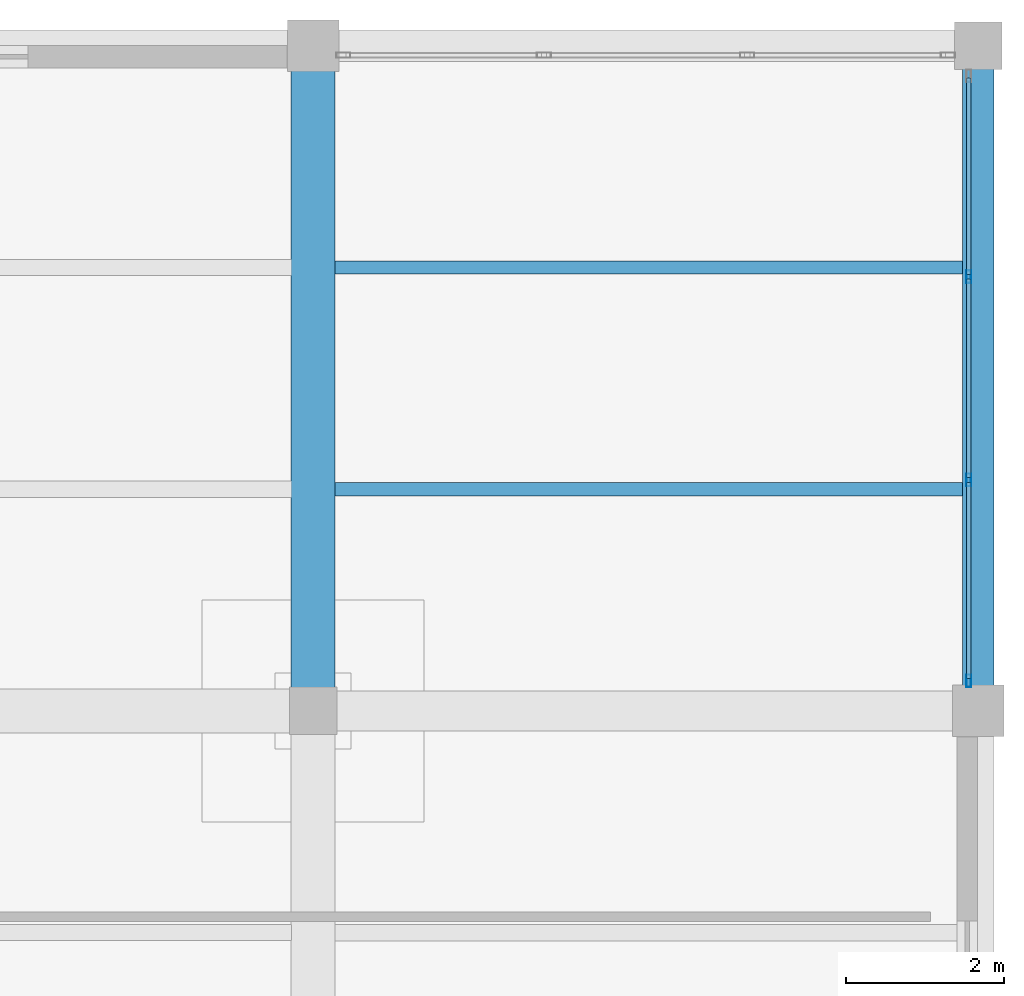
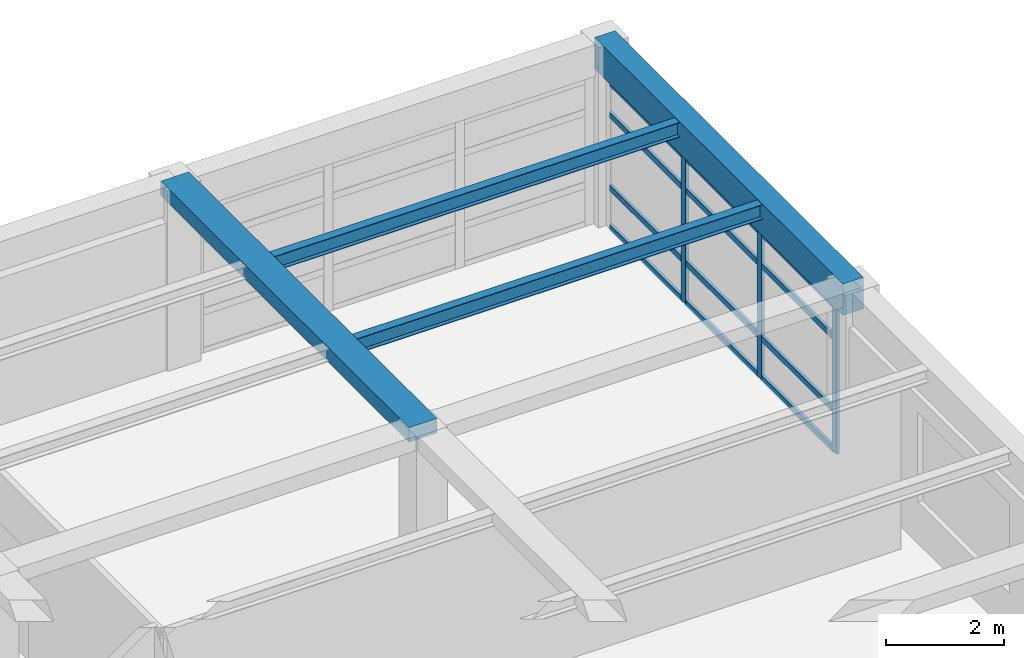
# One storey, part 16 of 26: 15 members, 4 beams, 1 element without a shape of its own.
"""IFC4 building model written with IfcOpenShell, lengths in metres."""

import ifcopenshell
import ifcopenshell.guid

model = None  # the IFC model being written
_history = None  # IfcOwnerHistory: only IFC2X3 demands one
_inside = {}  # id of a spatial element -> (the spatial element, [elements in it])
_under = {}  # id of a project, library or spatial element -> (it, [spatial elements below it])
_declared = {}  # id of a project -> (the project, [libraries it declares])
_typed = {}  # id of a type object -> (the type object, [elements of that type])
_made_of = {}  # id of a material, layer set ... -> (it, [elements and type objects made of it])


def new_model(schema):
    """Start an empty IFC model of exactly this schema.

    Asked for "IFC4X3", IfcOpenShell would pick the latest addendum, in which some entities
    have other attributes; the version numbers below select the first issue.
    IFC2X3 requires an IfcOwnerHistory on every rooted entity: one is made here for all.
    """
    global model, _history
    if schema == "IFC4X3":
        model = ifcopenshell.file(schema_version=(4, 3, 0, 0))
    else:
        model = ifcopenshell.file(schema=schema)
    _inside.clear()
    _under.clear()
    _declared.clear()
    _typed.clear()
    _made_of.clear()
    _history = None
    if model.schema == "IFC2X3":
        org = make("IfcOrganization", Name="unknown")
        user = make(
            "IfcPersonAndOrganization",
            ThePerson=make("IfcPerson", FamilyName="unknown"),
            TheOrganization=org,
        )
        app = make(
            "IfcApplication",
            ApplicationDeveloper=org,
            Version="unknown",
            ApplicationFullName="unknown",
            ApplicationIdentifier="unknown",
        )
        _history = make(
            "IfcOwnerHistory",
            OwningUser=user,
            OwningApplication=app,
            ChangeAction="ADDED",
            CreationDate=0,
        )
    return model


def make(cls, **values):
    """One entity of the class cls with the attributes given. An attribute that is None is left unset."""
    return model.create_entity(
        cls, **{name: value for name, value in values.items() if value is not None}
    )


def rooted(cls, **values):
    """An entity with a GlobalId (a new one), such as an element, a storey or a relation."""
    return make(cls, GlobalId=ifcopenshell.guid.new(), OwnerHistory=_history, **values)


def si_unit(unit_type, name, prefix=None):
    """IfcSIUnit, for example si_unit("LENGTHUNIT", "METRE", prefix="MILLI")."""
    return make("IfcSIUnit", UnitType=unit_type, Prefix=prefix, Name=name)


def assignment(units):
    """IfcUnitAssignment: the units of a project."""
    return None if units is None else make("IfcUnitAssignment", Units=units)


def point(xyz):
    """IfcCartesianPoint."""
    return None if xyz is None else make("IfcCartesianPoint", Coordinates=xyz)


def direction(xyz):
    """IfcDirection."""
    return None if xyz is None else make("IfcDirection", DirectionRatios=xyz)


def frame(location, z_axis=None, x_axis=None):
    """IfcAxis2Placement3D, a coordinate frame: its origin and axes. An axis left out is left unset."""
    return make(
        "IfcAxis2Placement3D",
        Location=point(location),
        Axis=direction(z_axis),
        RefDirection=direction(x_axis),
    )


def frame_2d(location, x_axis=None):
    """IfcAxis2Placement2D, a coordinate frame in the plane: its origin and x axis."""
    return make(
        "IfcAxis2Placement2D", Location=point(location), RefDirection=direction(x_axis)
    )


def origin():
    """The frame at (0, 0, 0) with its axes left unset."""
    return frame((0.0, 0.0, 0.0))


def origin_2d():
    """The frame at (0, 0) in the plane with its x axis left unset."""
    return frame_2d((0.0, 0.0))


def place(relative_to, where):
    """IfcLocalPlacement: puts the frame where relative to a parent placement (None: the world)."""
    return make(
        "IfcLocalPlacement", PlacementRelTo=relative_to, RelativePlacement=where
    )


def context(
    kind, dimensions, precision=None, world=None, true_north=None, identifier=None
):
    """IfcGeometricRepresentationContext, for example the 3D "Model" context."""
    return make(
        "IfcGeometricRepresentationContext",
        ContextIdentifier=identifier,
        ContextType=kind,
        CoordinateSpaceDimension=dimensions,
        Precision=precision,
        WorldCoordinateSystem=world,
        TrueNorth=true_north,
    )


def subcontext(parent, identifier, kind, view, scale=None):
    """IfcGeometricRepresentationSubContext, for example "Body" below "Model"."""
    return make(
        "IfcGeometricRepresentationSubContext",
        ContextIdentifier=identifier,
        ContextType=kind,
        ParentContext=parent,
        TargetScale=scale,
        TargetView=view,
    )


def project(units=None, contexts=None):
    """IfcProject with its units and contexts."""
    return rooted(
        "IfcProject",
        Name="project",
        RepresentationContexts=contexts,
        UnitsInContext=assignment(units),
    )


def spatial(cls, under=None, at=None, **own):
    """A site, building, storey or space (cls), placed at a placement, below another one or the project."""
    s = rooted(cls, ObjectPlacement=at, **own)
    if under is not None:
        _under.setdefault(under.id(), (under, []))[1].append(s)
    return s


def profile(cls, at=None, kind="AREA", **sizes):
    """A parametric profile (cls). Its sizes go by their IFC names, for example OverallWidth=200.0."""
    return make(cls, ProfileType=kind, Position=at, **sizes)


def rectangle(**sizes):
    """IfcRectangleProfileDef."""
    return profile("IfcRectangleProfileDef", **sizes)


def hollow_rectangle(**sizes):
    """IfcRectangleHollowProfileDef."""
    return profile("IfcRectangleHollowProfileDef", **sizes)


def i_section(**sizes):
    """IfcIShapeProfileDef."""
    return profile("IfcIShapeProfileDef", **sizes)


def extrude(swept, where, along, depth):
    """IfcExtrudedAreaSolid: the profile swept, set in the frame where, extruded along a direction by depth."""
    return make(
        "IfcExtrudedAreaSolid",
        SweptArea=swept,
        Position=where,
        ExtrudedDirection=direction(along),
        Depth=depth,
    )


def shape(context_of_items, identifier, shape_type, items):
    """IfcShapeRepresentation: the items that make up one representation, for example the "Body"."""
    return make(
        "IfcShapeRepresentation",
        ContextOfItems=context_of_items,
        RepresentationIdentifier=identifier,
        RepresentationType=shape_type,
        Items=items,
    )


def material(Name=None, Category=None):
    """IfcMaterial."""
    return make("IfcMaterial", Name=Name, Category=Category)


def material_profile(
    of_material, cross_section, Name=None, Category=None, Priority=None
):
    """IfcMaterialProfile: a cross section and its material."""
    return make(
        "IfcMaterialProfile",
        Name=Name,
        Material=of_material,
        Profile=cross_section,
        Priority=Priority,
        Category=Category,
    )


def profile_set(profiles, Name=None, composite=None):
    """IfcMaterialProfileSet."""
    return make(
        "IfcMaterialProfileSet",
        Name=Name,
        MaterialProfiles=profiles,
        CompositeProfile=composite,
    )


def made_of(thing, what):
    """Note that an element or type object is made of a material, layer set ...; save() writes the relation."""
    if what is not None:
        _made_of.setdefault(what.id(), (what, []))[1].append(thing)
    return thing


def type_object(cls, material=None, **own):
    """A type object (cls), such as IfcWallType, which elements share."""
    return made_of(rooted(cls, **own), material)


def element(
    cls,
    number,
    at=None,
    inside=None,
    cuts=None,
    type_object=None,
    material=None,
    context=None,
    identifier="Body",
    shape_type=None,
    held_by="IfcProductDefinitionShape",
    body=None,
    shapes=None,
    **own,
):
    """One element of the class cls, such as IfcWall. Its Tag is "e" and its number.

    at: its placement. inside: the storey or other place that contains it. cuts: it is an
    opening in that element (IfcRelVoidsElement). A single representation is given by context,
    identifier, shape_type and body (its items); several are given by shapes. held_by: the class
    of the entity that holds the representations. save() writes the other relations.
    """
    e = rooted(cls, Tag="e%d" % number, ObjectPlacement=at, **own)
    if body is not None:
        shapes = [shape(context, identifier, shape_type, body)]
    if shapes is not None:
        e.Representation = make(held_by, Representations=shapes)
    if inside is not None:
        _inside.setdefault(inside.id(), (inside, []))[1].append(e)
    if cuts is not None:
        rooted(
            "IfcRelVoidsElement", RelatingBuildingElement=cuts, RelatedOpeningElement=e
        )
    if type_object is not None:
        _typed.setdefault(type_object.id(), (type_object, []))[1].append(e)
    return made_of(e, material)


def aggregate(whole, parts):
    """IfcRelAggregates: a whole, such as a stair, and the parts it consists of."""
    return rooted("IfcRelAggregates", RelatingObject=whole, RelatedObjects=parts)


def save(model, path):
    """Write the relations noted so far, then the file.

    IfcRelAggregates (storeys below a building ...), IfcRelContainedInSpatialStructure (elements
    in a storey), IfcRelDefinesByType, IfcRelAssociatesMaterial and IfcRelDeclares: one each for
    every whole, place, type object, material and project.
    """
    for whole, parts in _under.values():
        aggregate(whole, parts)
    for where, things in _inside.values():
        rooted(
            "IfcRelContainedInSpatialStructure",
            RelatedElements=things,
            RelatingStructure=where,
        )
    for kind, things in _typed.values():
        rooted("IfcRelDefinesByType", RelatedObjects=things, RelatingType=kind)
    for what, things in _made_of.values():
        rooted("IfcRelAssociatesMaterial", RelatedObjects=things, RelatingMaterial=what)
    for by, libraries in _declared.values():
        rooted("IfcRelDeclares", RelatingContext=by, RelatedDefinitions=libraries)
    model.write(path)


model = new_model("IFC4")

# Units and contexts
model_context = context("Model", 3, precision=1e-05, world=origin(), true_north=direction((0.0, 1.0)))
body_context = subcontext(model_context, "Body", "Model", "MODEL_VIEW")
ifc_project = project(units=[si_unit("LENGTHUNIT", "METRE"), si_unit("AREAUNIT", "SQUARE_METRE"), si_unit("VOLUMEUNIT", "CUBIC_METRE"), si_unit("PLANEANGLEUNIT", "RADIAN"), si_unit("MASSUNIT", "GRAM", prefix="KILO")], contexts=[model_context])

# Site, building, storey
site_placement = place(None, origin())
site = spatial("IfcSite", under=ifc_project, at=site_placement, CompositionType="ELEMENT")
building_placement = place(site_placement, origin())
building = spatial("IfcBuilding", under=site, at=building_placement, Name="Almacenes y Pasaje Nevantli", CompositionType="ELEMENT")
storey_placement = place(building_placement, frame((0.0, 0.0, 46.699951171875)))
storey = spatial("IfcBuildingStorey", under=building, at=storey_placement, Name="L11", CompositionType="ELEMENT", Elevation=46.699951171875)

# Beams
ifc_material_1 = material(Name="Concrete C35/45", Category="concrete")
ifc_material_profile_1 = material_profile(ifc_material_1, rectangle(XDim=0.39990234375, YDim=0.64990234375, at=origin_2d()), Name="RC-BM-400x650")
ifc_profile_set_1 = profile_set([ifc_material_profile_1], Name="Concrete C35/45")
beam_type_1 = type_object("IfcBeamType", Name="BM-RC-400x650", PredefinedType="SPANDREL", material=ifc_profile_set_1)
beam_1_placement = place(storey_placement, frame((159.60009765625, 92.39990234375, 3.39501953125), z_axis=(0.0, 1.0, 0.0), x_axis=(-1.0, 0.0, 0.0)))
element("IfcBeam", 1, at=beam_1_placement, inside=storey, type_object=beam_type_1, Name="L11 North-South Reinforced Concrete Beam #3890", PredefinedType="SPANDREL", context=body_context, shape_type="SweptSolid", body=[
    extrude(rectangle(XDim=0.39990234375, YDim=0.64990234375, at=origin_2d()), origin(), (0.0, 0.0, 1.0), 8.400146484375),
])
ifc_material_2 = material(Name="Concrete C35/45", Category="concrete")
ifc_material_profile_2 = material_profile(ifc_material_2, rectangle(XDim=0.550048828125, YDim=0.300048828125, at=origin_2d()), Name="RC-BM-550x300")
ifc_profile_set_2 = profile_set([ifc_material_profile_2], Name="Concrete C35/45")
beam_type_2 = type_object("IfcBeamType", Name="BM-RC-550x300", PredefinedType="BEAM", material=ifc_profile_set_2)
beam_2_placement = place(storey_placement, frame((151.199951171875, 92.39990234375, 3.570068359375), z_axis=(0.0, 1.0, 0.0), x_axis=(-1.0, 0.0, 0.0)))
element("IfcBeam", 2, at=beam_2_placement, inside=storey, type_object=beam_type_2, Name="L11 North-South Reinforced Concrete Beam #3886", PredefinedType="BEAM", context=body_context, shape_type="SweptSolid", body=[
    extrude(rectangle(XDim=0.550048828125, YDim=0.300048828125, at=origin_2d()), origin(), (0.0, 0.0, 1.0), 8.400146484375),
])
ifc_material_3 = material(Name="Steel ASTM A992", Category="steel")
ifc_material_profile_3 = material_profile(ifc_material_3, i_section(OverallWidth=0.1650390625, OverallDepth=0.306884765625, WebThickness=0.006591796875, FlangeThickness=0.01025390625, at=origin_2d()), Name="IR 305x44.6")
ifc_profile_set_3 = profile_set([ifc_material_profile_3], Name="Steel ASTM A992")
beam_type_3 = type_object("IfcBeamType", Name="BM-STL-IR-305x44p6", PredefinedType="JOIST", material=ifc_profile_set_3)
for number, where, z_axis, x_axis, name in (
    (3, (151.47509765625, 95.199951171875, 3.55859375), (1.0, 0.0, 0.0), (0.0, 1.0, 0.0), "L11 Secondary Steel Floor Joist #1539"),
    (4, (151.47509765625, 98.0, 3.55859375), (1.0, 0.0, 0.0), (0.0, 1.0, 0.0), "L11 Secondary Steel Floor Joist #1540"),
):
    element("IfcBeam", number, at=place(storey_placement, frame(where, z_axis=z_axis, x_axis=x_axis)), inside=storey, type_object=beam_type_3, Name=name, PredefinedType="JOIST", context=body_context, shape_type="SweptSolid", body=[
        extrude(i_section(OverallWidth=0.1650390625, OverallDepth=0.306884765625, WebThickness=0.006591796875, FlangeThickness=0.01025390625, at=origin_2d()), origin(), (0.0, 0.0, 1.0), 7.9248046875),
    ])

# Curtain wall, members
ifc_material_4 = material(Name="Thermally Broken Aluminium and Low-E Glass", Category="aluminium")
curtain_wall_type = type_object("IfcCurtainWallType", Name="CW-UNIT-TOWER", PredefinedType="USERDEFINED", material=ifc_material_4)
curtain_wall_placement = place(storey_placement, origin())
curtain_wall = element("IfcCurtainWall", 5, at=curtain_wall_placement, inside=storey, type_object=curtain_wall_type, Name="L11 Tower East Curtain Wall Bay 12", ObjectType="UNITIZED CURTAIN WALL", PredefinedType="USERDEFINED")
ifc_material_5 = material(Name="Thermally Broken Anodized Aluminium", Category="aluminium")
ifc_material_profile_4 = material_profile(ifc_material_5, hollow_rectangle(XDim=0.06005859375, YDim=0.159912109375, WallThickness=0.00390625, at=origin_2d()), Name="ALU-MUL-60x160")
ifc_profile_set_4 = profile_set([ifc_material_profile_4], Name="Thermally Broken Anodized Aluminium")
member_type_1 = type_object("IfcMemberType", Name="CW-MUL-180", PredefinedType="MULLION", material=ifc_profile_set_4)
member_1_placement = place(storey_placement, frame((159.47998046875, 92.780029296875, 0.0), z_axis=(0.0, 0.0, 1.0), x_axis=(-1.0, 0.0, 0.0)))
member_1 = element("IfcMember", 6, at=member_1_placement, type_object=member_type_1, Name="CW-L11-158 mullion 1", PredefinedType="MULLION", context=body_context, shape_type="SweptSolid", body=[
    extrude(hollow_rectangle(XDim=0.06005859375, YDim=0.159912109375, WallThickness=0.00390625, at=origin_2d()), origin(), (0.0, 0.0, 1.0), 3.0400390625),
])
member_2_placement = place(storey_placement, frame((159.47998046875, 95.316650390625, 0.0), z_axis=(0.0, 0.0, 1.0), x_axis=(-1.0, 0.0, 0.0)))
member_2 = element("IfcMember", 7, at=member_2_placement, type_object=member_type_1, Name="CW-L11-158 mullion 2", PredefinedType="MULLION", context=body_context, shape_type="SweptSolid", body=[
    extrude(hollow_rectangle(XDim=0.06005859375, YDim=0.159912109375, WallThickness=0.00390625, at=origin_2d()), origin(), (0.0, 0.0, 1.0), 3.0400390625),
])
member_3_placement = place(storey_placement, frame((159.47998046875, 97.88330078125, 0.0), z_axis=(0.0, 0.0, 1.0), x_axis=(-1.0, 0.0, 0.0)))
member_3 = element("IfcMember", 8, at=member_3_placement, type_object=member_type_1, Name="CW-L11-158 mullion 3", PredefinedType="MULLION", context=body_context, shape_type="SweptSolid", body=[
    extrude(hollow_rectangle(XDim=0.06005859375, YDim=0.159912109375, WallThickness=0.00390625, at=origin_2d()), origin(), (0.0, 0.0, 1.0), 3.0400390625),
])
ifc_material_6 = material(Name="Thermally Broken Anodized Aluminium", Category="aluminium")
ifc_material_profile_5 = material_profile(ifc_material_6, hollow_rectangle(XDim=0.06005859375, YDim=0.1201171875, WallThickness=0.00341796875, at=origin_2d()), Name="ALU-TRN-60x120")
ifc_profile_set_5 = profile_set([ifc_material_profile_5], Name="Thermally Broken Anodized Aluminium")
member_type_2 = type_object("IfcMemberType", Name="CW-TRN-130", PredefinedType="USERDEFINED", material=ifc_profile_set_5)
member_4_placement = place(storey_placement, frame((159.47998046875, 92.81005859375, 0.030029296875), z_axis=(0.0, 1.0, 0.0), x_axis=(-1.0, 0.0, 0.0)))
member_4 = element("IfcMember", 9, at=member_4_placement, type_object=member_type_2, Name="CW-L11-158 transom 1.1", ObjectType="TRANSOM", PredefinedType="USERDEFINED", context=body_context, shape_type="SweptSolid", body=[
    extrude(hollow_rectangle(XDim=0.06005859375, YDim=0.1201171875, WallThickness=0.00341796875, at=origin_2d()), origin(), (0.0, 0.0, 1.0), 2.4765625),
])
member_5_placement = place(storey_placement, frame((159.47998046875, 92.81005859375, 0.85009765625), z_axis=(0.0, 1.0, 0.0), x_axis=(-1.0, 0.0, 0.0)))
member_5 = element("IfcMember", 10, at=member_5_placement, type_object=member_type_2, Name="CW-L11-158 transom 1.2", ObjectType="TRANSOM", PredefinedType="USERDEFINED", context=body_context, shape_type="SweptSolid", body=[
    extrude(hollow_rectangle(XDim=0.06005859375, YDim=0.1201171875, WallThickness=0.00341796875, at=origin_2d()), origin(), (0.0, 0.0, 1.0), 2.4765625),
])
member_6_placement = place(storey_placement, frame((159.47998046875, 92.81005859375, 2.35009765625), z_axis=(0.0, 1.0, 0.0), x_axis=(-1.0, 0.0, 0.0)))
member_6 = element("IfcMember", 11, at=member_6_placement, type_object=member_type_2, Name="CW-L11-158 transom 1.3", ObjectType="TRANSOM", PredefinedType="USERDEFINED", context=body_context, shape_type="SweptSolid", body=[
    extrude(hollow_rectangle(XDim=0.06005859375, YDim=0.1201171875, WallThickness=0.00341796875, at=origin_2d()), origin(), (0.0, 0.0, 1.0), 2.4765625),
])
member_7_placement = place(storey_placement, frame((159.47998046875, 92.81005859375, 3.010009765625), z_axis=(0.0, 1.0, 0.0), x_axis=(-1.0, 0.0, 0.0)))
member_7 = element("IfcMember", 12, at=member_7_placement, type_object=member_type_2, Name="CW-L11-158 transom 1.4", ObjectType="TRANSOM", PredefinedType="USERDEFINED", context=body_context, shape_type="SweptSolid", body=[
    extrude(hollow_rectangle(XDim=0.06005859375, YDim=0.1201171875, WallThickness=0.00341796875, at=origin_2d()), origin(), (0.0, 0.0, 1.0), 2.4765625),
])
member_8_placement = place(storey_placement, frame((159.47998046875, 95.3466796875, 0.030029296875), z_axis=(0.0, 1.0, 0.0), x_axis=(-1.0, 0.0, 0.0)))
member_8 = element("IfcMember", 13, at=member_8_placement, type_object=member_type_2, Name="CW-L11-158 transom 2.1", ObjectType="TRANSOM", PredefinedType="USERDEFINED", context=body_context, shape_type="SweptSolid", body=[
    extrude(hollow_rectangle(XDim=0.06005859375, YDim=0.1201171875, WallThickness=0.00341796875, at=origin_2d()), origin(), (0.0, 0.0, 1.0), 2.506591796875),
])
member_9_placement = place(storey_placement, frame((159.47998046875, 95.3466796875, 0.85009765625), z_axis=(0.0, 1.0, 0.0), x_axis=(-1.0, 0.0, 0.0)))
member_9 = element("IfcMember", 14, at=member_9_placement, type_object=member_type_2, Name="CW-L11-158 transom 2.2", ObjectType="TRANSOM", PredefinedType="USERDEFINED", context=body_context, shape_type="SweptSolid", body=[
    extrude(hollow_rectangle(XDim=0.06005859375, YDim=0.1201171875, WallThickness=0.00341796875, at=origin_2d()), origin(), (0.0, 0.0, 1.0), 2.506591796875),
])
member_10_placement = place(storey_placement, frame((159.47998046875, 95.3466796875, 2.35009765625), z_axis=(0.0, 1.0, 0.0), x_axis=(-1.0, 0.0, 0.0)))
member_10 = element("IfcMember", 15, at=member_10_placement, type_object=member_type_2, Name="CW-L11-158 transom 2.3", ObjectType="TRANSOM", PredefinedType="USERDEFINED", context=body_context, shape_type="SweptSolid", body=[
    extrude(hollow_rectangle(XDim=0.06005859375, YDim=0.1201171875, WallThickness=0.00341796875, at=origin_2d()), origin(), (0.0, 0.0, 1.0), 2.506591796875),
])
member_11_placement = place(storey_placement, frame((159.47998046875, 95.3466796875, 3.010009765625), z_axis=(0.0, 1.0, 0.0), x_axis=(-1.0, 0.0, 0.0)))
member_11 = element("IfcMember", 16, at=member_11_placement, type_object=member_type_2, Name="CW-L11-158 transom 2.4", ObjectType="TRANSOM", PredefinedType="USERDEFINED", context=body_context, shape_type="SweptSolid", body=[
    extrude(hollow_rectangle(XDim=0.06005859375, YDim=0.1201171875, WallThickness=0.00341796875, at=origin_2d()), origin(), (0.0, 0.0, 1.0), 2.506591796875),
])
member_12_placement = place(storey_placement, frame((159.47998046875, 97.913330078125, 0.030029296875), z_axis=(0.0, 1.0, 0.0), x_axis=(-1.0, 0.0, 0.0)))
member_12 = element("IfcMember", 17, at=member_12_placement, type_object=member_type_2, Name="CW-L11-158 transom 3.1", ObjectType="TRANSOM", PredefinedType="USERDEFINED", context=body_context, shape_type="SweptSolid", body=[
    extrude(hollow_rectangle(XDim=0.06005859375, YDim=0.1201171875, WallThickness=0.00341796875, at=origin_2d()), origin(), (0.0, 0.0, 1.0), 2.4765625),
])
member_13_placement = place(storey_placement, frame((159.47998046875, 97.913330078125, 0.85009765625), z_axis=(0.0, 1.0, 0.0), x_axis=(-1.0, 0.0, 0.0)))
member_13 = element("IfcMember", 18, at=member_13_placement, type_object=member_type_2, Name="CW-L11-158 transom 3.2", ObjectType="TRANSOM", PredefinedType="USERDEFINED", context=body_context, shape_type="SweptSolid", body=[
    extrude(hollow_rectangle(XDim=0.06005859375, YDim=0.1201171875, WallThickness=0.00341796875, at=origin_2d()), origin(), (0.0, 0.0, 1.0), 2.4765625),
])
member_14_placement = place(storey_placement, frame((159.47998046875, 97.913330078125, 2.35009765625), z_axis=(0.0, 1.0, 0.0), x_axis=(-1.0, 0.0, 0.0)))
member_14 = element("IfcMember", 19, at=member_14_placement, type_object=member_type_2, Name="CW-L11-158 transom 3.3", ObjectType="TRANSOM", PredefinedType="USERDEFINED", context=body_context, shape_type="SweptSolid", body=[
    extrude(hollow_rectangle(XDim=0.06005859375, YDim=0.1201171875, WallThickness=0.00341796875, at=origin_2d()), origin(), (0.0, 0.0, 1.0), 2.4765625),
])
member_15_placement = place(storey_placement, frame((159.47998046875, 97.913330078125, 3.010009765625), z_axis=(0.0, 1.0, 0.0), x_axis=(-1.0, 0.0, 0.0)))
member_15 = element("IfcMember", 20, at=member_15_placement, type_object=member_type_2, Name="CW-L11-158 transom 3.4", ObjectType="TRANSOM", PredefinedType="USERDEFINED", context=body_context, shape_type="SweptSolid", body=[
    extrude(hollow_rectangle(XDim=0.06005859375, YDim=0.1201171875, WallThickness=0.00341796875, at=origin_2d()), origin(), (0.0, 0.0, 1.0), 2.4765625),
])
aggregate(curtain_wall, [member_1, member_2, member_3, member_4, member_5, member_6, member_7, member_8, member_9, member_10, member_11, member_12, member_13, member_14, member_15])

save(model, "model.ifc")
